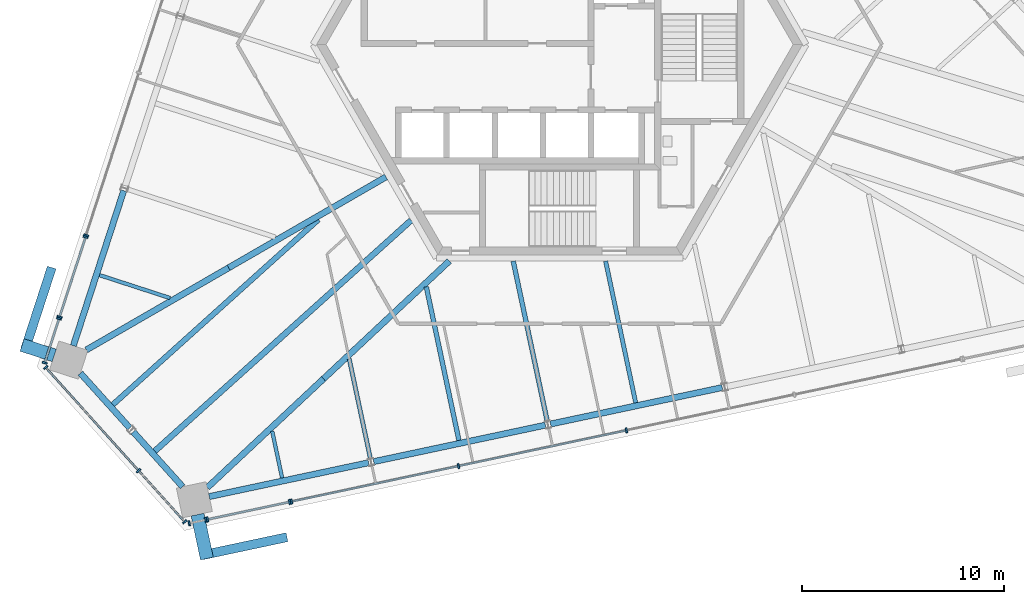
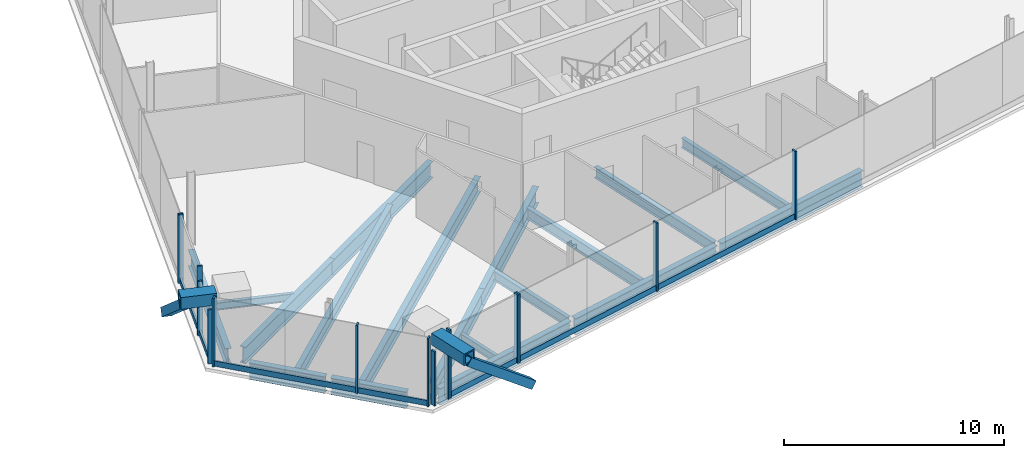
# One storey, part 4 of 16: 26 members, 18 beams, 7 elements without a shape of their own.
"""IFC4 building model written with IfcOpenShell, lengths in metres."""

import ifcopenshell
import ifcopenshell.guid

model = None  # the IFC model being written
_history = None  # IfcOwnerHistory: only IFC2X3 demands one
_inside = {}  # id of a spatial element -> (the spatial element, [elements in it])
_under = {}  # id of a project, library or spatial element -> (it, [spatial elements below it])
_declared = {}  # id of a project -> (the project, [libraries it declares])
_typed = {}  # id of a type object -> (the type object, [elements of that type])
_made_of = {}  # id of a material, layer set ... -> (it, [elements and type objects made of it])


def new_model(schema):
    """Start an empty IFC model of exactly this schema.

    Asked for "IFC4X3", IfcOpenShell would pick the latest addendum, in which some entities
    have other attributes; the version numbers below select the first issue.
    IFC2X3 requires an IfcOwnerHistory on every rooted entity: one is made here for all.
    """
    global model, _history
    if schema == "IFC4X3":
        model = ifcopenshell.file(schema_version=(4, 3, 0, 0))
    else:
        model = ifcopenshell.file(schema=schema)
    _inside.clear()
    _under.clear()
    _declared.clear()
    _typed.clear()
    _made_of.clear()
    _history = None
    if model.schema == "IFC2X3":
        org = make("IfcOrganization", Name="unknown")
        user = make(
            "IfcPersonAndOrganization",
            ThePerson=make("IfcPerson", FamilyName="unknown"),
            TheOrganization=org,
        )
        app = make(
            "IfcApplication",
            ApplicationDeveloper=org,
            Version="unknown",
            ApplicationFullName="unknown",
            ApplicationIdentifier="unknown",
        )
        _history = make(
            "IfcOwnerHistory",
            OwningUser=user,
            OwningApplication=app,
            ChangeAction="ADDED",
            CreationDate=0,
        )
    return model


def make(cls, **values):
    """One entity of the class cls with the attributes given. An attribute that is None is left unset."""
    return model.create_entity(
        cls, **{name: value for name, value in values.items() if value is not None}
    )


def rooted(cls, **values):
    """An entity with a GlobalId (a new one), such as an element, a storey or a relation."""
    return make(cls, GlobalId=ifcopenshell.guid.new(), OwnerHistory=_history, **values)


def si_unit(unit_type, name, prefix=None):
    """IfcSIUnit, for example si_unit("LENGTHUNIT", "METRE", prefix="MILLI")."""
    return make("IfcSIUnit", UnitType=unit_type, Prefix=prefix, Name=name)


def assignment(units):
    """IfcUnitAssignment: the units of a project."""
    return None if units is None else make("IfcUnitAssignment", Units=units)


def point(xyz):
    """IfcCartesianPoint."""
    return None if xyz is None else make("IfcCartesianPoint", Coordinates=xyz)


def direction(xyz):
    """IfcDirection."""
    return None if xyz is None else make("IfcDirection", DirectionRatios=xyz)


def frame(location, z_axis=None, x_axis=None):
    """IfcAxis2Placement3D, a coordinate frame: its origin and axes. An axis left out is left unset."""
    return make(
        "IfcAxis2Placement3D",
        Location=point(location),
        Axis=direction(z_axis),
        RefDirection=direction(x_axis),
    )


def frame_2d(location, x_axis=None):
    """IfcAxis2Placement2D, a coordinate frame in the plane: its origin and x axis."""
    return make(
        "IfcAxis2Placement2D", Location=point(location), RefDirection=direction(x_axis)
    )


def origin():
    """The frame at (0, 0, 0) with its axes left unset."""
    return frame((0.0, 0.0, 0.0))


def origin_2d():
    """The frame at (0, 0) in the plane with its x axis left unset."""
    return frame_2d((0.0, 0.0))


def place(relative_to, where):
    """IfcLocalPlacement: puts the frame where relative to a parent placement (None: the world)."""
    return make(
        "IfcLocalPlacement", PlacementRelTo=relative_to, RelativePlacement=where
    )


def context(
    kind, dimensions, precision=None, world=None, true_north=None, identifier=None
):
    """IfcGeometricRepresentationContext, for example the 3D "Model" context."""
    return make(
        "IfcGeometricRepresentationContext",
        ContextIdentifier=identifier,
        ContextType=kind,
        CoordinateSpaceDimension=dimensions,
        Precision=precision,
        WorldCoordinateSystem=world,
        TrueNorth=true_north,
    )


def subcontext(parent, identifier, kind, view, scale=None):
    """IfcGeometricRepresentationSubContext, for example "Body" below "Model"."""
    return make(
        "IfcGeometricRepresentationSubContext",
        ContextIdentifier=identifier,
        ContextType=kind,
        ParentContext=parent,
        TargetScale=scale,
        TargetView=view,
    )


def project(units=None, contexts=None):
    """IfcProject with its units and contexts."""
    return rooted(
        "IfcProject",
        Name="project",
        RepresentationContexts=contexts,
        UnitsInContext=assignment(units),
    )


def spatial(cls, under=None, at=None, **own):
    """A site, building, storey or space (cls), placed at a placement, below another one or the project."""
    s = rooted(cls, ObjectPlacement=at, **own)
    if under is not None:
        _under.setdefault(under.id(), (under, []))[1].append(s)
    return s


def profile(cls, at=None, kind="AREA", **sizes):
    """A parametric profile (cls). Its sizes go by their IFC names, for example OverallWidth=200.0."""
    return make(cls, ProfileType=kind, Position=at, **sizes)


def rectangle(**sizes):
    """IfcRectangleProfileDef."""
    return profile("IfcRectangleProfileDef", **sizes)


def hollow_rectangle(**sizes):
    """IfcRectangleHollowProfileDef."""
    return profile("IfcRectangleHollowProfileDef", **sizes)


def i_section(**sizes):
    """IfcIShapeProfileDef."""
    return profile("IfcIShapeProfileDef", **sizes)


def extrude(swept, where, along, depth):
    """IfcExtrudedAreaSolid: the profile swept, set in the frame where, extruded along a direction by depth."""
    return make(
        "IfcExtrudedAreaSolid",
        SweptArea=swept,
        Position=where,
        ExtrudedDirection=direction(along),
        Depth=depth,
    )


def shape(context_of_items, identifier, shape_type, items):
    """IfcShapeRepresentation: the items that make up one representation, for example the "Body"."""
    return make(
        "IfcShapeRepresentation",
        ContextOfItems=context_of_items,
        RepresentationIdentifier=identifier,
        RepresentationType=shape_type,
        Items=items,
    )


def source(mapping_origin, context_of_items, identifier, shape_type, items):
    """IfcRepresentationMap: a shape defined once, which mapped items show again and again."""
    return make(
        "IfcRepresentationMap",
        MappingOrigin=mapping_origin,
        MappedRepresentation=shape(context_of_items, identifier, shape_type, items),
    )


def transform(
    local_origin,
    x_axis=None,
    y_axis=None,
    z_axis=None,
    scale=None,
    scale2=None,
    scale3=None,
    uniform=True,
):
    """IfcCartesianTransformationOperator3D, or its non-uniform kind. x_axis, y_axis, z_axis: its Axis1, 2, 3."""
    if uniform:
        return make(
            "IfcCartesianTransformationOperator3D",
            Axis1=direction(x_axis),
            Axis2=direction(y_axis),
            LocalOrigin=point(local_origin),
            Scale=scale,
            Axis3=direction(z_axis),
        )
    return make(
        "IfcCartesianTransformationOperator3DnonUniform",
        Axis1=direction(x_axis),
        Axis2=direction(y_axis),
        LocalOrigin=point(local_origin),
        Scale=scale,
        Axis3=direction(z_axis),
        Scale2=scale2,
        Scale3=scale3,
    )


def mapped(mapping_source, mapping_target):
    """IfcMappedItem: shows the shape of a source again, moved by a transform."""
    return make(
        "IfcMappedItem", MappingSource=mapping_source, MappingTarget=mapping_target
    )


def material(Name=None, Category=None):
    """IfcMaterial."""
    return make("IfcMaterial", Name=Name, Category=Category)


def material_profile(
    of_material, cross_section, Name=None, Category=None, Priority=None
):
    """IfcMaterialProfile: a cross section and its material."""
    return make(
        "IfcMaterialProfile",
        Name=Name,
        Material=of_material,
        Profile=cross_section,
        Priority=Priority,
        Category=Category,
    )


def profile_set(profiles, Name=None, composite=None):
    """IfcMaterialProfileSet."""
    return make(
        "IfcMaterialProfileSet",
        Name=Name,
        MaterialProfiles=profiles,
        CompositeProfile=composite,
    )


def made_of(thing, what):
    """Note that an element or type object is made of a material, layer set ...; save() writes the relation."""
    if what is not None:
        _made_of.setdefault(what.id(), (what, []))[1].append(thing)
    return thing


def type_object(cls, material=None, **own):
    """A type object (cls), such as IfcWallType, which elements share."""
    return made_of(rooted(cls, **own), material)


def element(
    cls,
    number,
    at=None,
    inside=None,
    cuts=None,
    type_object=None,
    material=None,
    context=None,
    identifier="Body",
    shape_type=None,
    held_by="IfcProductDefinitionShape",
    body=None,
    shapes=None,
    **own,
):
    """One element of the class cls, such as IfcWall. Its Tag is "e" and its number.

    at: its placement. inside: the storey or other place that contains it. cuts: it is an
    opening in that element (IfcRelVoidsElement). A single representation is given by context,
    identifier, shape_type and body (its items); several are given by shapes. held_by: the class
    of the entity that holds the representations. save() writes the other relations.
    """
    e = rooted(cls, Tag="e%d" % number, ObjectPlacement=at, **own)
    if body is not None:
        shapes = [shape(context, identifier, shape_type, body)]
    if shapes is not None:
        e.Representation = make(held_by, Representations=shapes)
    if inside is not None:
        _inside.setdefault(inside.id(), (inside, []))[1].append(e)
    if cuts is not None:
        rooted(
            "IfcRelVoidsElement", RelatingBuildingElement=cuts, RelatedOpeningElement=e
        )
    if type_object is not None:
        _typed.setdefault(type_object.id(), (type_object, []))[1].append(e)
    return made_of(e, material)


def aggregate(whole, parts):
    """IfcRelAggregates: a whole, such as a stair, and the parts it consists of."""
    return rooted("IfcRelAggregates", RelatingObject=whole, RelatedObjects=parts)


def save(model, path):
    """Write the relations noted so far, then the file.

    IfcRelAggregates (storeys below a building ...), IfcRelContainedInSpatialStructure (elements
    in a storey), IfcRelDefinesByType, IfcRelAssociatesMaterial and IfcRelDeclares: one each for
    every whole, place, type object, material and project.
    """
    for whole, parts in _under.values():
        aggregate(whole, parts)
    for where, things in _inside.values():
        rooted(
            "IfcRelContainedInSpatialStructure",
            RelatedElements=things,
            RelatingStructure=where,
        )
    for kind, things in _typed.values():
        rooted("IfcRelDefinesByType", RelatedObjects=things, RelatingType=kind)
    for what, things in _made_of.values():
        rooted("IfcRelAssociatesMaterial", RelatedObjects=things, RelatingMaterial=what)
    for by, libraries in _declared.values():
        rooted("IfcRelDeclares", RelatingContext=by, RelatedDefinitions=libraries)
    model.write(path)


model = new_model("IFC4")

# Units and contexts
model_context = context("Model", 3, precision=1e-05, world=origin(), true_north=direction((0.0, 1.0)))
body_context = subcontext(model_context, "Body", "Model", "MODEL_VIEW")
ifc_project = project(units=[si_unit("LENGTHUNIT", "METRE"), si_unit("AREAUNIT", "SQUARE_METRE"), si_unit("VOLUMEUNIT", "CUBIC_METRE"), si_unit("PLANEANGLEUNIT", "RADIAN"), si_unit("MASSUNIT", "GRAM", prefix="KILO")], contexts=[model_context])

# Site, building, storey
site_placement = place(None, origin())
site = spatial("IfcSite", under=ifc_project, at=site_placement, CompositionType="ELEMENT")
building_placement = place(site_placement, origin())
building = spatial("IfcBuilding", under=site, at=building_placement, Name="Triune Harvest Tower", CompositionType="ELEMENT")
storey_placement = place(building_placement, frame((0.0, 0.0, 292.699951171875)))
storey = spatial("IfcBuildingStorey", under=building, at=storey_placement, Name="L77", CompositionType="ELEMENT", Elevation=292.699951171875)

# Member
ifc_material_1 = material(Name="Steel ASTM A572 Gr 50", Category="steel")
ifc_material_profile_1 = material_profile(ifc_material_1, hollow_rectangle(XDim=0.64990234375, YDim=0.64990234375, WallThickness=0.070068359375, at=origin_2d()), Name="Box 650x650x70")
ifc_profile_set_1 = profile_set([ifc_material_profile_1], Name="Steel ASTM A572 Gr 50")
member_type_1 = type_object("IfcMemberType", Name="BS-1 Brace stub Box 650x650x70", PredefinedType="STRUT", material=ifc_profile_set_1)
member_1_placement = place(storey_placement, frame((-24.9619140625, -15.35791015625, 3.400146484375), z_axis=(-0.951078030255, 0.30895077337, 0.0), x_axis=(-0.30895077337, -0.951078030255, 0.0)))
element("IfcMember", 1, at=member_1_placement, inside=storey, type_object=member_type_1, Name="brace/B7-F3/stub2", PredefinedType="STRUT", context=body_context, shape_type="SweptSolid", body=[
    extrude(hollow_rectangle(XDim=0.64990234375, YDim=0.64990234375, WallThickness=0.070068359375, at=origin_2d()), origin(), (0.0, 0.0, 1.0), 1.6728515625),
])

# Beams
ifc_material_2 = material(Name="Steel ASTM A992 Gr 50", Category="steel")
ifc_material_profile_2 = material_profile(ifc_material_2, i_section(OverallWidth=0.3046875, OverallDepth=0.914306640625, WebThickness=0.0166015625, FlangeThickness=0.02587890625, at=origin_2d()), Name="W36x160")
ifc_profile_set_2 = profile_set([ifc_material_profile_2], Name="Steel ASTM A992 Gr 50")
beam_type_1 = type_object("IfcBeamType", Name="HG-3 Hip girder W36x160", PredefinedType="BEAM", material=ifc_profile_set_2)
shared_shape_1 = source(origin(), body_context, "Body", "SweptSolid", [
    extrude(i_section(OverallWidth=0.3046875, OverallDepth=0.914306640625, WebThickness=0.0166015625, FlangeThickness=0.02587890625, at=origin_2d()), origin(), (0.0, 0.0, 1.0), 8.97265625),
])
beam_1_placement = place(storey_placement, frame((-16.34619140625, -11.02734375, -0.63720703125), z_axis=(0.866024277037, 0.500001951578, 0.0), x_axis=(-0.500001951578, 0.866024277037, 0.0)))
element("IfcBeam", 2, at=beam_1_placement, inside=storey, type_object=beam_type_1, Name="beam/L77/HG5", PredefinedType="BEAM", context=body_context, shape_type="MappedRepresentation", body=[
    mapped(shared_shape_1, transform((0.0, 0.0, 0.0), scale=1.0)),
])
ifc_material_3 = material(Name="Steel ASTM A992 Gr 50", Category="steel")
ifc_material_profile_3 = material_profile(ifc_material_3, i_section(OverallWidth=0.3046875, OverallDepth=0.914306640625, WebThickness=0.0166015625, FlangeThickness=0.02587890625, at=origin_2d()), Name="W36x160")
ifc_profile_set_3 = profile_set([ifc_material_profile_3], Name="Steel ASTM A992 Gr 50")
beam_type_2 = type_object("IfcBeamType", Name="SB-1 Spandrel beam W36x160", PredefinedType="SPANDREL", material=ifc_profile_set_3)
shared_shape_2 = source(origin(), body_context, "Body", "SweptSolid", [
    extrude(i_section(OverallWidth=0.3046875, OverallDepth=0.914306640625, WebThickness=0.0166015625, FlangeThickness=0.02587890625, at=origin_2d()), origin(), (0.0, 0.0, 1.0), 8.0498046875),
])
beam_2_placement = place(storey_placement, frame((-21.529296875, -7.220703125, -0.63720703125), z_axis=(-0.30902160762, -0.951055017348, 0.0), x_axis=(0.951055017348, -0.30902160762, 0.0)))
element("IfcBeam", 3, at=beam_2_placement, inside=storey, type_object=beam_type_2, Name="beam/L77/SB12", PredefinedType="SPANDREL", context=body_context, shape_type="MappedRepresentation", body=[
    mapped(shared_shape_2, transform((0.0, 0.0, 0.0), scale=1.0)),
])
shared_shape_3 = source(origin(), body_context, "Body", "SweptSolid", [
    extrude(i_section(OverallWidth=0.3046875, OverallDepth=0.914306640625, WebThickness=0.0166015625, FlangeThickness=0.02587890625, at=origin_2d()), origin(), (0.0, 0.0, 1.0), 8.67138671875),
])
for number, where, z_axis, x_axis, name in (
    (4, (-9.1806640625, -20.603271484375, -0.63720703125), (0.978145539793, 0.207921386546, 0.0), (-0.207921386546, 0.978145539793, 0.0), "beam/L77/SB16"),
    (5, (-0.44775390625, -18.7470703125, -0.63720703125), (0.978145539793, 0.207921386546, 0.0), (-0.207921386546, 0.978145539793, 0.0), "beam/L77/SB17"),
):
    element("IfcBeam", number, at=place(storey_placement, frame(where, z_axis=z_axis, x_axis=x_axis)), inside=storey, type_object=beam_type_2, Name=name, PredefinedType="SPANDREL", context=body_context, shape_type="MappedRepresentation", body=[
        mapped(shared_shape_3, transform((0.0, 0.0, 0.0), scale=1.0)),
    ])
shared_shape_4 = source(origin(), body_context, "Body", "SweptSolid", [
    extrude(i_section(OverallWidth=0.3046875, OverallDepth=0.914306640625, WebThickness=0.0166015625, FlangeThickness=0.02587890625, at=origin_2d()), origin(), (0.0, 0.0, 1.0), 3.645751953125),
])
for number, where, z_axis, x_axis, name in (
    (6, (-23.669189453125, -16.2333984375, -0.63720703125), (0.669138606654, -0.743137621901, 0.0), (0.743137621901, 0.669138606654, 0.0), "beam/L77/SB13"),
    (7, (-21.05810546875, -19.13330078125, -0.63720703125), (0.669138606654, -0.743137621901, 0.0), (0.743137621901, 0.669138606654, 0.0), "beam/L77/SB14"),
):
    element("IfcBeam", number, at=place(storey_placement, frame(where, z_axis=z_axis, x_axis=x_axis)), inside=storey, type_object=beam_type_2, Name=name, PredefinedType="SPANDREL", context=body_context, shape_type="MappedRepresentation", body=[
        mapped(shared_shape_4, transform((0.0, 0.0, 0.0), scale=1.0)),
    ])
shared_shape_5 = source(origin(), body_context, "Body", "SweptSolid", [
    extrude(i_section(OverallWidth=0.3046875, OverallDepth=0.914306640625, WebThickness=0.0166015625, FlangeThickness=0.02587890625, at=origin_2d()), origin(), (0.0, 0.0, 1.0), 8.049560546875),
])
beam_3_placement = place(storey_placement, frame((-17.305419921875, -22.330322265625, -0.63720703125), z_axis=(0.978148597907, 0.207906999431, 0.0), x_axis=(-0.207906999431, 0.978148597907, 0.0)))
element("IfcBeam", 8, at=beam_3_placement, inside=storey, type_object=beam_type_2, Name="beam/L77/SB15", PredefinedType="SPANDREL", context=body_context, shape_type="MappedRepresentation", body=[
    mapped(shared_shape_5, transform((0.0, 0.0, 0.0), scale=1.0)),
])
shared_shape_6 = source(origin(), body_context, "Body", "SweptSolid", [
    extrude(i_section(OverallWidth=0.3046875, OverallDepth=0.914306640625, WebThickness=0.0166015625, FlangeThickness=0.02587890625, at=origin_2d()), origin(), (0.0, 0.0, 1.0), 8.11572265625),
])
beam_4_placement = place(storey_placement, frame((-23.37451171875, -15.085205078125, -0.63720703125), z_axis=(0.866022271607, 0.500005425051, 0.0), x_axis=(-0.500005425051, 0.866022271607, 0.0)))
element("IfcBeam", 9, at=beam_4_placement, inside=storey, type_object=beam_type_1, Name="beam/L77/HG4", PredefinedType="BEAM", context=body_context, shape_type="MappedRepresentation", body=[
    mapped(shared_shape_6, transform((0.0, 0.0, 0.0), scale=1.0)),
])
shared_shape_7 = source(origin(), body_context, "Body", "SweptSolid", [
    extrude(i_section(OverallWidth=0.3046875, OverallDepth=0.914306640625, WebThickness=0.0166015625, FlangeThickness=0.02587890625, at=origin_2d()), origin(), (0.0, 0.0, 1.0), 7.858642578125),
])
beam_5_placement = place(storey_placement, frame((-17.399658203125, -21.88720703125, -0.63720703125), z_axis=(0.729902338859, 0.683551443367, 0.0), x_axis=(-0.683551443367, 0.729902338859, 0.0)))
element("IfcBeam", 10, at=beam_5_placement, inside=storey, type_object=beam_type_1, Name="beam/L77/HG6", PredefinedType="BEAM", context=body_context, shape_type="MappedRepresentation", body=[
    mapped(shared_shape_7, transform((0.0, 0.0, 0.0), scale=1.0)),
])
shared_shape_8 = source(origin(), body_context, "Body", "SweptSolid", [
    extrude(i_section(OverallWidth=0.3046875, OverallDepth=0.914306640625, WebThickness=0.0166015625, FlangeThickness=0.02587890625, at=origin_2d()), origin(), (0.0, 0.0, 1.0), 8.511962890625),
])
beam_6_placement = place(storey_placement, frame((-11.66357421875, -16.515380859375, -0.63720703125), z_axis=(0.729902036757, 0.683551765954, 0.0), x_axis=(-0.683551765954, 0.729902036757, 0.0)))
element("IfcBeam", 11, at=beam_6_placement, inside=storey, type_object=beam_type_1, Name="beam/L77/HG7", PredefinedType="BEAM", context=body_context, shape_type="MappedRepresentation", body=[
    mapped(shared_shape_8, transform((0.0, 0.0, 0.0), scale=1.0)),
])
ifc_material_4 = material(Name="Steel ASTM A992 Gr 50", Category="steel")
ifc_material_profile_4 = material_profile(ifc_material_4, i_section(OverallWidth=0.180908203125, OverallDepth=0.41650390625, WebThickness=0.010986328125, FlangeThickness=0.01806640625, at=origin_2d()), Name="W16x57")
ifc_profile_set_4 = profile_set([ifc_material_profile_4], Name="Steel ASTM A992 Gr 50")
beam_type_3 = type_object("IfcBeamType", Name="JT-1 Floor joist W16x57", PredefinedType="JOIST", material=ifc_profile_set_4)
shared_shape_9 = source(origin(), body_context, "Body", "SweptSolid", [
    extrude(i_section(OverallWidth=0.180908203125, OverallDepth=0.41650390625, WebThickness=0.010986328125, FlangeThickness=0.01806640625, at=origin_2d()), origin(), (0.0, 0.0, 1.0), 2.364990234375),
])
beam_7_placement = place(storey_placement, frame((-13.704345703125, -21.4091796875, -0.38818359375), z_axis=(-0.207914315996, 0.978147042731, 0.0), x_axis=(-0.978147042731, -0.207914315996, 0.0)))
element("IfcBeam", 12, at=beam_7_placement, inside=storey, type_object=beam_type_3, Name="beam/L77/JT23", PredefinedType="JOIST", context=body_context, shape_type="MappedRepresentation", body=[
    mapped(shared_shape_9, transform((0.0, 0.0, 0.0), scale=1.0)),
])
ifc_material_5 = material(Name="Steel ASTM A992 Gr 50", Category="steel")
ifc_material_profile_5 = material_profile(ifc_material_5, i_section(OverallWidth=0.2099609375, OverallDepth=0.535888671875, WebThickness=0.010986328125, FlangeThickness=0.017333984375, at=origin_2d()), Name="W21x68")
ifc_profile_set_5 = profile_set([ifc_material_profile_5], Name="Steel ASTM A992 Gr 50")
beam_type_4 = type_object("IfcBeamType", Name="JT-2 Floor joist W21x68", PredefinedType="JOIST", material=ifc_profile_set_5)
shared_shape_10 = source(origin(), body_context, "Body", "SweptSolid", [
    extrude(i_section(OverallWidth=0.2099609375, OverallDepth=0.535888671875, WebThickness=0.010986328125, FlangeThickness=0.017333984375, at=origin_2d()), origin(), (0.0, 0.0, 1.0), 5.031982421875),
])
beam_8_placement = place(storey_placement, frame((-9.34375, -20.45361328125, -0.447998046875), z_axis=(-0.207895312057, 0.978151082004, 0.0), x_axis=(-0.978151082004, -0.207895312057, 0.0)))
element("IfcBeam", 13, at=beam_8_placement, inside=storey, type_object=beam_type_4, Name="beam/L77/JT24", PredefinedType="JOIST", context=body_context, shape_type="MappedRepresentation", body=[
    mapped(shared_shape_10, transform((0.0, 0.0, 0.0), scale=1.0)),
])
ifc_material_6 = material(Name="Steel ASTM A992 Gr 50", Category="steel")
ifc_material_profile_6 = material_profile(ifc_material_6, i_section(OverallWidth=0.22900390625, OverallDepth=0.612060546875, WebThickness=0.011962890625, FlangeThickness=0.01953125, at=origin_2d()), Name="W24x84")
ifc_profile_set_6 = profile_set([ifc_material_profile_6], Name="Steel ASTM A992 Gr 50")
beam_type_5 = type_object("IfcBeamType", Name="JT-3 Floor joist W24x84", PredefinedType="JOIST", material=ifc_profile_set_6)
shared_shape_11 = source(origin(), body_context, "Body", "SweptSolid", [
    extrude(i_section(OverallWidth=0.22900390625, OverallDepth=0.612060546875, WebThickness=0.011962890625, FlangeThickness=0.01953125, at=origin_2d()), origin(), (0.0, 0.0, 1.0), 7.755126953125),
])
beam_9_placement = place(storey_placement, frame((-4.971435546875, -19.552734375, -0.486083984375), z_axis=(-0.20790130149, 0.978149808996, 0.0), x_axis=(-0.978149808996, -0.20790130149, 0.0)))
element("IfcBeam", 14, at=beam_9_placement, inside=storey, type_object=beam_type_5, Name="beam/L77/JT25", PredefinedType="JOIST", context=body_context, shape_type="MappedRepresentation", body=[
    mapped(shared_shape_11, transform((0.0, 0.0, 0.0), scale=1.0)),
])
shared_shape_12 = source(origin(), body_context, "Body", "SweptSolid", [
    extrude(i_section(OverallWidth=0.22900390625, OverallDepth=0.612060546875, WebThickness=0.011962890625, FlangeThickness=0.01953125, at=origin_2d()), origin(), (0.0, 0.0, 1.0), 8.076904296875),
])
beam_10_placement = place(storey_placement, frame((-0.61083984375, -18.597412109375, -0.486083984375), z_axis=(-0.207902137341, 0.978149631339, 0.0), x_axis=(-0.978149631339, -0.207902137341, 0.0)))
element("IfcBeam", 15, at=beam_10_placement, inside=storey, type_object=beam_type_5, Name="beam/L77/JT26", PredefinedType="JOIST", context=body_context, shape_type="MappedRepresentation", body=[
    mapped(shared_shape_12, transform((0.0, 0.0, 0.0), scale=1.0)),
])
shared_shape_13 = source(origin(), body_context, "Body", "SweptSolid", [
    extrude(i_section(OverallWidth=0.180908203125, OverallDepth=0.41650390625, WebThickness=0.010986328125, FlangeThickness=0.01806640625, at=origin_2d()), origin(), (0.0, 0.0, 1.0), 3.661865234375),
])
beam_11_placement = place(storey_placement, frame((-22.72412109375, -11.391357421875, -0.38818359375), z_axis=(0.951056113966, -0.309018232614, 0.0), x_axis=(0.309018232614, 0.951056113966, 0.0)))
element("IfcBeam", 16, at=beam_11_placement, inside=storey, type_object=beam_type_3, Name="beam/L77/JT20", PredefinedType="JOIST", context=body_context, shape_type="MappedRepresentation", body=[
    mapped(shared_shape_13, transform((0.0, 0.0, 0.0), scale=1.0)),
])
ifc_material_7 = material(Name="Steel ASTM A992 Gr 50", Category="steel")
ifc_material_profile_7 = material_profile(ifc_material_7, i_section(OverallWidth=0.2666015625, OverallDepth=0.7568359375, WebThickness=0.013916015625, FlangeThickness=0.019287109375, at=origin_2d()), Name="W30x108")
ifc_profile_set_7 = profile_set([ifc_material_profile_7], Name="Steel ASTM A992 Gr 50")
beam_type_6 = type_object("IfcBeamType", Name="JT-5 Floor joist W30x108", PredefinedType="JOIST", material=ifc_profile_set_7)
shared_shape_14 = source(origin(), body_context, "Body", "SweptSolid", [
    extrude(i_section(OverallWidth=0.2666015625, OverallDepth=0.7568359375, WebThickness=0.013916015625, FlangeThickness=0.019287109375, at=origin_2d()), origin(), (0.0, 0.0, 1.0), 13.667724609375),
])
beam_12_placement = place(storey_placement, frame((-22.0654296875, -17.78662109375, -0.558349609375), z_axis=(0.743148465952, 0.66912656318, 0.0), x_axis=(-0.66912656318, 0.743148465952, 0.0)))
element("IfcBeam", 17, at=beam_12_placement, inside=storey, type_object=beam_type_6, Name="beam/L77/JT21", PredefinedType="JOIST", context=body_context, shape_type="MappedRepresentation", body=[
    mapped(shared_shape_14, transform((0.0, 0.0, 0.0), scale=1.0)),
])
ifc_material_8 = material(Name="Steel ASTM A992 Gr 50", Category="steel")
ifc_material_profile_8 = material_profile(ifc_material_8, i_section(OverallWidth=0.2919921875, OverallDepth=0.8408203125, WebThickness=0.0146484375, FlangeThickness=0.021728515625, at=origin_2d()), Name="W33x130")
ifc_profile_set_8 = profile_set([ifc_material_profile_8], Name="Steel ASTM A992 Gr 50")
beam_type_7 = type_object("IfcBeamType", Name="JT-6 Floor joist W33x130", PredefinedType="JOIST", material=ifc_profile_set_8)
shared_shape_15 = source(origin(), body_context, "Body", "SweptSolid", [
    extrude(i_section(OverallWidth=0.2919921875, OverallDepth=0.8408203125, WebThickness=0.0146484375, FlangeThickness=0.021728515625, at=origin_2d()), origin(), (0.0, 0.0, 1.0), 17.03466796875),
])
beam_13_placement = place(storey_placement, frame((-19.99560546875, -20.08544921875, -0.600341796875), z_axis=(0.743143047387, 0.669132581123, 0.0), x_axis=(-0.669132581123, 0.743143047387, 0.0)))
element("IfcBeam", 18, at=beam_13_placement, inside=storey, type_object=beam_type_7, Name="beam/L77/JT22", PredefinedType="JOIST", context=body_context, shape_type="MappedRepresentation", body=[
    mapped(shared_shape_15, transform((0.0, 0.0, 0.0), scale=1.0)),
])
shared_shape_16 = source(origin(), body_context, "Body", "SweptSolid", [
    extrude(i_section(OverallWidth=0.2099609375, OverallDepth=0.535888671875, WebThickness=0.010986328125, FlangeThickness=0.017333984375, at=origin_2d()), origin(), (0.0, 0.0, 1.0), 7.156005859375),
])
beam_14_placement = place(storey_placement, frame((3.761474609375, -17.696533203125, -0.447998046875), z_axis=(-0.207911801049, 0.978147577303, 0.0), x_axis=(-0.978147577303, -0.207911801049, 0.0)))
element("IfcBeam", 19, at=beam_14_placement, inside=storey, type_object=beam_type_4, Name="beam/L77/JT27", PredefinedType="JOIST", context=body_context, shape_type="MappedRepresentation", body=[
    mapped(shared_shape_16, transform((0.0, 0.0, 0.0), scale=1.0)),
])

# Members
ifc_material_9 = material(Name="Steel ASTM A572 Gr 50", Category="steel")
ifc_material_profile_9 = material_profile(ifc_material_9, hollow_rectangle(XDim=0.449951171875, YDim=0.449951171875, WallThickness=0.02490234375, at=origin_2d()), Name="Box 450x450x25")
ifc_profile_set_9 = profile_set([ifc_material_profile_9], Name="Steel ASTM A572 Gr 50")
member_type_2 = type_object("IfcMemberType", Name="BR-4 Brace Box 450x450x25", PredefinedType="BRACE", material=ifc_profile_set_9)
shared_shape_17 = source(origin(), body_context, "Body", "SweptSolid", [
    extrude(hollow_rectangle(XDim=0.449951171875, YDim=0.449951171875, WallThickness=0.02490234375, at=origin_2d()), origin(), (0.0, 0.0, 1.0), 5.04345703125),
])
for number, where, z_axis, x_axis, name in (
    (20, (-25.130615234375, -11.150146484375, 0.0), (-0.241983891623, -0.74483019412, 0.621829380234), (0.951066313628, -0.308986839659, 0.0), "brace/B7-F3/d1/10"),
    (21, (-13.601806640625, -24.365234375, 0.0), (-0.766014598574, -0.162845873964, 0.621854368888), (0.207941555414, -0.978141252341, 0.0), "brace/B7-F5/d2/10"),
):
    element("IfcMember", number, at=place(storey_placement, frame(where, z_axis=z_axis, x_axis=x_axis)), inside=storey, type_object=member_type_2, Name=name, PredefinedType="BRACE", context=body_context, shape_type="MappedRepresentation", body=[
        mapped(shared_shape_17, transform((0.0, 0.0, 0.0), scale=1.0)),
    ])
shared_shape_18 = source(origin(), body_context, "Body", "SweptSolid", [
    extrude(hollow_rectangle(XDim=0.64990234375, YDim=0.64990234375, WallThickness=0.070068359375, at=origin_2d()), origin(), (0.0, 0.0, 1.0), 2.22314453125),
])
member_2_placement = place(storey_placement, frame((-17.88330078125, -23.2197265625, 3.400146484375), z_axis=(0.207991406452, -0.978130653258, 0.0), x_axis=(0.978130653258, 0.207991406452, 0.0)))
element("IfcMember", 22, at=member_2_placement, inside=storey, type_object=member_type_1, Name="brace/B7-F5/stub4", PredefinedType="STRUT", context=body_context, shape_type="MappedRepresentation", body=[
    mapped(shared_shape_18, transform((0.0, 0.0, 0.0), scale=1.0)),
])

# Curtain wall, members
ifc_material_10 = material(Name="Aluminium bronze anodised", Category="aluminium")
curtain_wall_type_1 = type_object("IfcCurtainWallType", Name="CW-4 Sky lobby tall glazing wall", PredefinedType="NOTDEFINED", material=ifc_material_10)
curtain_wall_1_placement = place(storey_placement, origin())
curtain_wall_1 = element("IfcCurtainWall", 23, at=curtain_wall_1_placement, inside=storey, type_object=curtain_wall_type_1, Name="CW-4 B7-F4 L77 run 1")
ifc_material_11 = material(Name="Aluminium bronze anodised", Category="aluminium")
ifc_material_profile_10 = material_profile(ifc_material_11, rectangle(XDim=0.10009765625, YDim=0.300048828125, at=origin_2d()), Name="TR-4 transom 100 x 300")
ifc_profile_set_10 = profile_set([ifc_material_profile_10], Name="Aluminium bronze anodised")
member_type_3 = type_object("IfcMemberType", Name="TR-4 transom 100 x 300", PredefinedType="USERDEFINED", material=ifc_profile_set_10)
shared_shape_19 = source(origin(), body_context, "Body", "SweptSolid", [
    extrude(rectangle(XDim=0.10009765625, YDim=0.300048828125, at=origin_2d()), origin(), (0.0, 0.0, 1.0), 6.76708984375),
])
member_3_placement = place(storey_placement, frame((-25.354248046875, -15.984375, 0.150146484375), z_axis=(0.669122180246, -0.743152412297, 0.0), x_axis=(0.743152412297, 0.669122180246, 0.0)))
member_3 = element("IfcMember", 24, at=member_3_placement, type_object=member_type_3, Name="CW-4 transom B7-F4 1.1", ObjectType="TRANSOM", PredefinedType="USERDEFINED", context=body_context, shape_type="MappedRepresentation", body=[
    mapped(shared_shape_19, transform((0.0, 0.0, 0.0), scale=1.0)),
])
shared_shape_20 = source(origin(), body_context, "Body", "SweptSolid", [
    extrude(rectangle(XDim=0.10009765625, YDim=0.300048828125, at=origin_2d()), origin(), (0.0, 0.0, 1.0), 3.316162109375),
])
member_4_placement = place(storey_placement, frame((-20.765869140625, -21.080322265625, 0.150146484375), z_axis=(0.669143681053, -0.743133052762, 0.0), x_axis=(0.743133052762, 0.669143681053, 0.0)))
member_4 = element("IfcMember", 25, at=member_4_placement, type_object=member_type_3, Name="CW-4 transom B7-F4 1.2", ObjectType="TRANSOM", PredefinedType="USERDEFINED", context=body_context, shape_type="MappedRepresentation", body=[
    mapped(shared_shape_20, transform((0.0, 0.0, 0.0), scale=1.0)),
])

ifc_material_12 = material(Name="Aluminium bronze anodised", Category="aluminium")
curtain_wall_type_2 = type_object("IfcCurtainWallType", Name="CW-9 Sky lobby tall glazing wall with insulated spandrel infill", PredefinedType="NOTDEFINED", material=ifc_material_12)
curtain_wall_2_placement = place(storey_placement, origin())
curtain_wall_2 = element("IfcCurtainWall", 26, at=curtain_wall_2_placement, inside=storey, type_object=curtain_wall_type_2, Name="CW-9 B7-F3 L77 run 201")
ifc_material_13 = material(Name="Aluminium bronze anodised", Category="aluminium")
ifc_material_profile_11 = material_profile(ifc_material_13, rectangle(XDim=0.25, YDim=0.090087890625, at=origin_2d()), Name="MU-4 mullion 90 x 250")
ifc_profile_set_11 = profile_set([ifc_material_profile_11], Name="Aluminium bronze anodised")
member_type_4 = type_object("IfcMemberType", Name="MU-4 mullion 90 x 250", PredefinedType="MULLION", material=ifc_profile_set_11)
shared_shape_21 = source(origin(), body_context, "Body", "SweptSolid", [
    extrude(rectangle(XDim=0.25, YDim=0.090087890625, at=origin_2d()), origin(), (0.0, 0.0, 1.0), 3.01513671875),
])
member_5_placement = place(storey_placement, frame((-24.72412109375, -13.540283203125, 0.0), z_axis=(0.0, 0.0, 1.0), x_axis=(0.951051019838, -0.30903391022, 0.0)))
member_5 = element("IfcMember", 27, at=member_5_placement, type_object=member_type_4, Name="CW-9 mullion B7-F3 201.1", PredefinedType="MULLION", context=body_context, shape_type="MappedRepresentation", body=[
    mapped(shared_shape_21, transform((0.0, 0.0, 0.0), scale=1.0)),
])
member_6_placement = place(storey_placement, frame((-25.43310546875, -15.72216796875, 0.0), z_axis=(0.0, 0.0, 1.0), x_axis=(0.951051019838, -0.30903391022, 0.0)))
member_6 = element("IfcMember", 28, at=member_6_placement, type_object=member_type_4, Name="CW-9 mullion B7-F3 201.2", PredefinedType="MULLION", context=body_context, shape_type="MappedRepresentation", body=[
    mapped(shared_shape_21, transform((0.0, 0.0, 0.0), scale=1.0)),
])

curtain_wall_3_placement = place(storey_placement, origin())
curtain_wall_3 = element("IfcCurtainWall", 29, at=curtain_wall_3_placement, inside=storey, type_object=curtain_wall_type_2, Name="CW-9 B7-F5 L77 run 1")
member_7_placement = place(storey_placement, frame((-18.29443359375, -23.650390625, 0.0), z_axis=(0.0, 0.0, 1.0), x_axis=(-0.207950868928, 0.978139272349, 0.0)))
member_7 = element("IfcMember", 30, at=member_7_placement, type_object=member_type_4, Name="CW-9 mullion B7-F5 1.1", PredefinedType="MULLION", context=body_context, shape_type="MappedRepresentation", body=[
    mapped(shared_shape_21, transform((0.0, 0.0, 0.0), scale=1.0)),
])
member_8_placement = place(storey_placement, frame((-17.480712890625, -23.477294921875, 0.0), z_axis=(0.0, 0.0, 1.0), x_axis=(-0.207950868928, 0.978139272349, 0.0)))
member_8 = element("IfcMember", 31, at=member_8_placement, type_object=member_type_4, Name="CW-9 mullion B7-F5 1.2", PredefinedType="MULLION", context=body_context, shape_type="MappedRepresentation", body=[
    mapped(shared_shape_21, transform((0.0, 0.0, 0.0), scale=1.0)),
])
aggregate(curtain_wall_3, [member_7, member_8])

# Member
shared_shape_22 = source(origin(), body_context, "Body", "SweptSolid", [
    extrude(rectangle(XDim=0.10009765625, YDim=0.300048828125, at=origin_2d()), origin(), (0.0, 0.0, 1.0), 2.2041015625),
])
member_9_placement = place(storey_placement, frame((-24.738037109375, -13.5830078125, 0.150146484375), z_axis=(-0.309040988602, -0.951048719763, 0.0), x_axis=(0.951048719763, -0.309040988602, 0.0)))
member_9 = element("IfcMember", 32, at=member_9_placement, type_object=member_type_3, Name="CW-9 transom B7-F3 201.1", ObjectType="TRANSOM", PredefinedType="USERDEFINED", context=body_context, shape_type="MappedRepresentation", body=[
    mapped(shared_shape_22, transform((0.0, 0.0, 0.0), scale=1.0)),
])

aggregate(curtain_wall_2, [member_5, member_6, member_9])

# Curtain wall, member
curtain_wall_4_placement = place(storey_placement, origin())
curtain_wall_4 = element("IfcCurtainWall", 33, at=curtain_wall_4_placement, inside=storey, type_object=curtain_wall_type_1, Name="CW-4 B7-F3 L77 run 1101")
shared_shape_23 = source(origin(), body_context, "Body", "SweptSolid", [
    extrude(rectangle(XDim=0.25, YDim=0.090087890625, at=origin_2d()), origin(), (0.0, 0.0, 1.0), 3.800048828125),
])
member_10_placement = place(storey_placement, frame((-23.3857421875, -9.42138671875, 0.0), z_axis=(0.0, 0.0, 1.0), x_axis=(0.951057914817, -0.309012690134, 0.0)))
member_10 = element("IfcMember", 34, at=member_10_placement, type_object=member_type_4, Name="CW-4 mullion B7-F3 1101.9", PredefinedType="MULLION", context=body_context, shape_type="MappedRepresentation", body=[
    mapped(shared_shape_23, transform((0.0, 0.0, 0.0), scale=1.0)),
])
aggregate(curtain_wall_4, [member_10])

# Curtain wall, members
curtain_wall_5_placement = place(storey_placement, origin())
curtain_wall_5 = element("IfcCurtainWall", 35, at=curtain_wall_5_placement, inside=storey, type_object=curtain_wall_type_2, Name="CW-9 B7-F3 L77 run 2101")
member_11_placement = place(storey_placement, frame((-23.41357421875, -9.507080078125, 0.0), z_axis=(0.0, 0.0, 1.0), x_axis=(0.951054168245, -0.309024220836, 0.0)))
member_11 = element("IfcMember", 36, at=member_11_placement, type_object=member_type_4, Name="CW-9 mullion B7-F3 2101.1", PredefinedType="MULLION", context=body_context, shape_type="MappedRepresentation", body=[
    mapped(shared_shape_23, transform((0.0, 0.0, 0.0), scale=1.0)),
])
member_12_placement = place(storey_placement, frame((-24.6962890625, -13.45458984375, 0.0), z_axis=(0.0, 0.0, 1.0), x_axis=(0.951054168245, -0.309024220836, 0.0)))
member_12 = element("IfcMember", 37, at=member_12_placement, type_object=member_type_4, Name="CW-9 mullion B7-F3 2101.2", PredefinedType="MULLION", context=body_context, shape_type="MappedRepresentation", body=[
    mapped(shared_shape_23, transform((0.0, 0.0, 0.0), scale=1.0)),
])

# Member
member_13_placement = place(storey_placement, frame((-25.384521484375, -15.950927734375, 0.0), z_axis=(0.0, 0.0, 1.0), x_axis=(0.743143542297, 0.669132031472, 0.0)))
member_13 = element("IfcMember", 38, at=member_13_placement, type_object=member_type_4, Name="CW-4 mullion B7-F4 1.1", PredefinedType="MULLION", context=body_context, shape_type="MappedRepresentation", body=[
    mapped(shared_shape_23, transform((0.0, 0.0, 0.0), scale=1.0)),
])

member_14_placement = place(storey_placement, frame((-20.7958984375, -21.046875, 0.0), z_axis=(0.0, 0.0, 1.0), x_axis=(0.743143542297, 0.669132031472, 0.0)))
member_14 = element("IfcMember", 39, at=member_14_placement, type_object=member_type_4, Name="CW-4 mullion B7-F4 1.3", PredefinedType="MULLION", context=body_context, shape_type="MappedRepresentation", body=[
    mapped(shared_shape_23, transform((0.0, 0.0, 0.0), scale=1.0)),
])

member_15_placement = place(storey_placement, frame((-18.516845703125, -23.578125, 0.0), z_axis=(0.0, 0.0, 1.0), x_axis=(0.743143542297, 0.669132031472, 0.0)))
member_15 = element("IfcMember", 40, at=member_15_placement, type_object=member_type_4, Name="CW-4 mullion B7-F4 1.4", PredefinedType="MULLION", context=body_context, shape_type="MappedRepresentation", body=[
    mapped(shared_shape_23, transform((0.0, 0.0, 0.0), scale=1.0)),
])

aggregate(curtain_wall_1, [member_13, member_14, member_15, member_3, member_4])

# Curtain wall, members
curtain_wall_6_placement = place(storey_placement, origin())
curtain_wall_6 = element("IfcCurtainWall", 41, at=curtain_wall_6_placement, inside=storey, type_object=curtain_wall_type_2, Name="CW-9 B7-F5 L77 run 101")
member_16_placement = place(storey_placement, frame((-17.392822265625, -23.458740234375, 0.0), z_axis=(0.0, 0.0, 1.0), x_axis=(-0.20791036568, 0.9781478824, 0.0)))
member_16 = element("IfcMember", 42, at=member_16_placement, type_object=member_type_4, Name="CW-9 mullion B7-F5 101.1", PredefinedType="MULLION", context=body_context, shape_type="MappedRepresentation", body=[
    mapped(shared_shape_23, transform((0.0, 0.0, 0.0), scale=1.0)),
])
member_17_placement = place(storey_placement, frame((-13.332763671875, -22.595703125, 0.0), z_axis=(0.0, 0.0, 1.0), x_axis=(-0.20791036568, 0.9781478824, 0.0)))
member_17 = element("IfcMember", 43, at=member_17_placement, type_object=member_type_4, Name="CW-9 mullion B7-F5 101.2", PredefinedType="MULLION", context=body_context, shape_type="MappedRepresentation", body=[
    mapped(shared_shape_23, transform((0.0, 0.0, 0.0), scale=1.0)),
])

curtain_wall_7_placement = place(storey_placement, origin())
curtain_wall_7 = element("IfcCurtainWall", 44, at=curtain_wall_7_placement, inside=storey, type_object=curtain_wall_type_1, Name="CW-4 B7-F5 L77 run 1101")
member_18_placement = place(storey_placement, frame((-13.24462890625, -22.576904296875, 0.0), z_axis=(0.0, 0.0, 1.0), x_axis=(-0.20791036568, 0.9781478824, 0.0)))
member_18 = element("IfcMember", 45, at=member_18_placement, type_object=member_type_4, Name="CW-4 mullion B7-F5 1101.1", PredefinedType="MULLION", context=body_context, shape_type="MappedRepresentation", body=[
    mapped(shared_shape_23, transform((0.0, 0.0, 0.0), scale=1.0)),
])
member_19_placement = place(storey_placement, frame((-4.992431640625, -20.822998046875, 0.0), z_axis=(0.0, 0.0, 1.0), x_axis=(-0.20791036568, 0.9781478824, 0.0)))
member_19 = element("IfcMember", 46, at=member_19_placement, type_object=member_type_4, Name="CW-4 mullion B7-F5 1101.3", PredefinedType="MULLION", context=body_context, shape_type="MappedRepresentation", body=[
    mapped(shared_shape_23, transform((0.0, 0.0, 0.0), scale=1.0)),
])
member_20_placement = place(storey_placement, frame((3.3037109375, -19.0595703125, 0.0), z_axis=(0.0, 0.0, 1.0), x_axis=(-0.20791036568, 0.9781478824, 0.0)))
member_20 = element("IfcMember", 47, at=member_20_placement, type_object=member_type_4, Name="CW-4 mullion B7-F5 1101.5", PredefinedType="MULLION", context=body_context, shape_type="MappedRepresentation", body=[
    mapped(shared_shape_23, transform((0.0, 0.0, 0.0), scale=1.0)),
])

# Member
shared_shape_24 = source(origin(), body_context, "Body", "SweptSolid", [
    extrude(rectangle(XDim=0.10009765625, YDim=0.300048828125, at=origin_2d()), origin(), (0.0, 0.0, 1.0), 4.060791015625),
])
member_21_placement = place(storey_placement, frame((-23.427490234375, -9.5498046875, 0.150146484375), z_axis=(-0.309022178159, -0.951054831966, 0.0), x_axis=(0.951054831966, -0.309022178159, 0.0)))
member_21 = element("IfcMember", 48, at=member_21_placement, type_object=member_type_3, Name="CW-9 transom B7-F3 2101.1", ObjectType="TRANSOM", PredefinedType="USERDEFINED", context=body_context, shape_type="MappedRepresentation", body=[
    mapped(shared_shape_24, transform((0.0, 0.0, 0.0), scale=1.0)),
])

aggregate(curtain_wall_5, [member_11, member_12, member_21])

member_22_placement = place(storey_placement, frame((-17.348876953125, -23.44921875, 0.150146484375), z_axis=(0.978151210559, 0.207894707198, 0.0), x_axis=(-0.207894707198, 0.978151210559, 0.0)))
member_22 = element("IfcMember", 49, at=member_22_placement, type_object=member_type_3, Name="CW-9 transom B7-F5 101.1", ObjectType="TRANSOM", PredefinedType="USERDEFINED", context=body_context, shape_type="MappedRepresentation", body=[
    mapped(shared_shape_24, transform((0.0, 0.0, 0.0), scale=1.0)),
])

aggregate(curtain_wall_6, [member_16, member_17, member_22])

shared_shape_25 = source(origin(), body_context, "Body", "SweptSolid", [
    extrude(rectangle(XDim=0.10009765625, YDim=0.300048828125, at=origin_2d()), origin(), (0.0, 0.0, 1.0), 8.346435546875),
])
member_23_placement = place(storey_placement, frame((-13.20068359375, -22.567626953125, 0.150146484375), z_axis=(0.978146954834, 0.207914729514, 0.0), x_axis=(-0.207914729514, 0.978146954834, 0.0)))
member_23 = element("IfcMember", 50, at=member_23_placement, type_object=member_type_3, Name="CW-4 transom B7-F5 1101.1", ObjectType="TRANSOM", PredefinedType="USERDEFINED", context=body_context, shape_type="MappedRepresentation", body=[
    mapped(shared_shape_25, transform((0.0, 0.0, 0.0), scale=1.0)),
])

shared_shape_26 = source(origin(), body_context, "Body", "SweptSolid", [
    extrude(rectangle(XDim=0.10009765625, YDim=0.300048828125, at=origin_2d()), origin(), (0.0, 0.0, 1.0), 8.3916015625),
])
member_24_placement = place(storey_placement, frame((-4.948486328125, -20.8134765625, 0.150146484375), z_axis=(0.978149755299, 0.207901554129, 0.0), x_axis=(-0.207901554129, 0.978149755299, 0.0)))
member_24 = element("IfcMember", 51, at=member_24_placement, type_object=member_type_3, Name="CW-4 transom B7-F5 1101.2", ObjectType="TRANSOM", PredefinedType="USERDEFINED", context=body_context, shape_type="MappedRepresentation", body=[
    mapped(shared_shape_26, transform((0.0, 0.0, 0.0), scale=1.0)),
])

aggregate(curtain_wall_7, [member_18, member_19, member_20, member_23, member_24])

save(model, "model.ifc")
